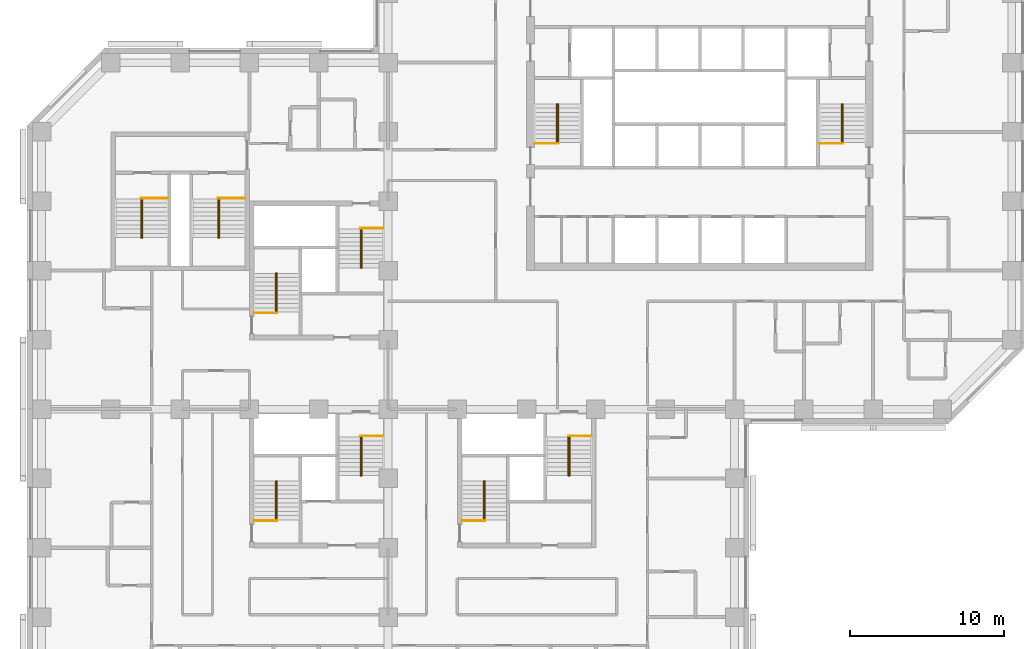
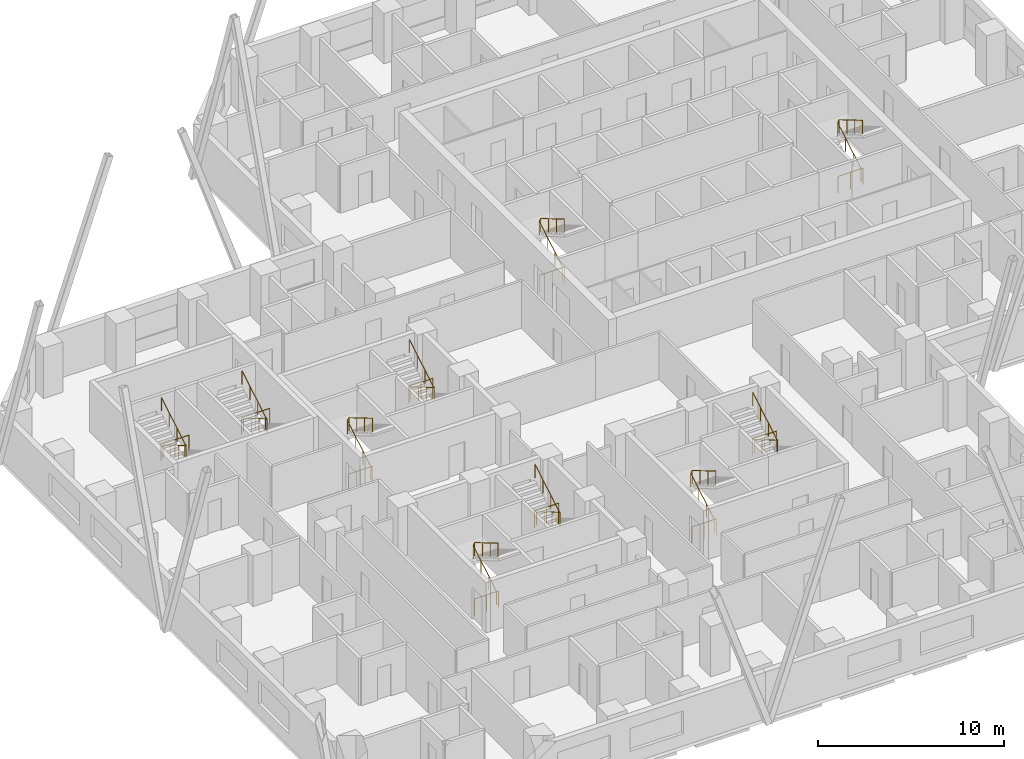
# One storey, part 13 of 13: 20 railings.
"""IFC4 building model written with IfcOpenShell, lengths in metres."""

from ifc_helpers import new_model, si_unit, direction, frame, origin, origin_2d, place, context, subcontext, project, spatial, circle, extrude, material, type_object, element, save


model = new_model("IFC4")

# Units and contexts
model_context = context("Model", 3, precision=1e-05, world=origin(), true_north=direction((0.0, 1.0)))
body_context = subcontext(model_context, "Body", "Model", "MODEL_VIEW")
ifc_project = project(units=[si_unit("LENGTHUNIT", "METRE"), si_unit("AREAUNIT", "SQUARE_METRE"), si_unit("VOLUMEUNIT", "CUBIC_METRE"), si_unit("PLANEANGLEUNIT", "RADIAN"), si_unit("MASSUNIT", "GRAM", prefix="KILO")], contexts=[model_context])

# Site, building, storey
site_placement = place(None, origin())
site = spatial("IfcSite", under=ifc_project, at=site_placement, CompositionType="ELEMENT")
building_placement = place(site_placement, origin())
building = spatial("IfcBuilding", under=site, at=building_placement, Name="Quoin Convention Tower", CompositionType="ELEMENT")
storey_placement = place(building_placement, frame((0.0, 0.0, 39.60009765625)))
storey = spatial("IfcBuildingStorey", under=building, at=storey_placement, Name="L09", CompositionType="ELEMENT", Elevation=39.60009765625)

# Railings
ifc_material = material(Name="Stainless steel", Category="steel")
railing_type_1 = type_object("IfcRailingType", Name="Stair handrail 900", PredefinedType="HANDRAIL", material=ifc_material)
for number, where, name in (
    (1, (46.955078125, 57.800048828125, 0.164794921875), "SD1 handrail 1"),
    (2, (65.455078125, 57.800048828125, 0.164794921875), "SD2 handrail 1"),
    (3, (28.705078125, 46.800048828125, 0.164794921875), "SD3 handrail 1"),
):
    element("IfcRailing", number, at=place(storey_placement, frame(where)), inside=storey, type_object=railing_type_1, Name=name, PredefinedType="HANDRAIL", context=body_context, shape_type="SweptSolid", body=[
        extrude(circle(Radius=0.02392578125, at=origin_2d()), frame((0.0, 0.0, 0.8759765625), z_axis=(0.0, 0.86152411907, 0.507716645641), x_axis=(-1.0, 0.0, 0.0)), (0.0, 0.0, 1.0), 2.925048828125),
        extrude(circle(Radius=0.02392578125, at=origin_2d()), frame((0.0, 2.52001953125, 2.36083984375), z_axis=(0.478123724308, 0.0, 0.878292493566), x_axis=(0.0, 1.0, 0.0)), (0.0, 0.0, 1.0), 0.18798828125),
        extrude(circle(Radius=0.02392578125, at=origin_2d()), frame((0.08984375, 2.52001953125, 2.52587890625), z_axis=(0.0, -0.861560626758, 0.507654692109), x_axis=(1.0, 0.0, 0.0)), (0.0, 0.0, 1.0), 2.925048828125),
        extrude(circle(Radius=0.02099609375, at=origin_2d()), origin(), (0.0, 0.0, 1.0), 0.851806640625),
        extrude(circle(Radius=0.02099609375, at=origin_2d()), frame((0.0, 0.840087890625, 0.4951171875)), (0.0, 0.0, 1.0), 0.851806640625),
        extrude(circle(Radius=0.02099609375, at=origin_2d()), frame((0.0, 1.679931640625, 0.989990234375)), (0.0, 0.0, 1.0), 0.851806640625),
        extrude(circle(Radius=0.02099609375, at=origin_2d()), frame((0.0, 2.52001953125, 1.485107421875)), (0.0, 0.0, 1.0), 0.851806640625),
        extrude(circle(Radius=0.02099609375, at=origin_2d()), frame((0.08984375, 2.52001953125, 1.650146484375)), (0.0, 0.0, 1.0), 0.851806640625),
        extrude(circle(Radius=0.02099609375, at=origin_2d()), frame((0.08984375, 1.679931640625, 2.14501953125)), (0.0, 0.0, 1.0), 0.851806640625),
        extrude(circle(Radius=0.02099609375, at=origin_2d()), frame((0.08984375, 0.840087890625, 2.64013671875)), (0.0, 0.0, 1.0), 0.851806640625),
        extrude(circle(Radius=0.02099609375, at=origin_2d()), frame((0.08984375, 0.0, 3.135009765625)), (0.0, 0.0, 1.0), 0.851806640625),
    ])
railing_1_placement = place(storey_placement, frame((34.294921875, 52.199951171875, 0.164794921875)))
element("IfcRailing", 4, at=railing_1_placement, inside=storey, type_object=railing_type_1, Name="SD4 handrail 1", PredefinedType="HANDRAIL", context=body_context, shape_type="SweptSolid", body=[
    extrude(circle(Radius=0.02392578125, at=origin_2d()), frame((0.0, 0.0, 0.8759765625), z_axis=(0.0, -0.86152411907, 0.507716645641), x_axis=(1.0, 0.0, 0.0)), (0.0, 0.0, 1.0), 2.925048828125),
    extrude(circle(Radius=0.02392578125, at=origin_2d()), frame((0.0, -2.52001953125, 2.36083984375), z_axis=(-0.478123724308, 0.0, 0.878292493566), x_axis=(0.0, -1.0, 0.0)), (0.0, 0.0, 1.0), 0.18798828125),
    extrude(circle(Radius=0.02392578125, at=origin_2d()), frame((-0.08984375, -2.52001953125, 2.52587890625), z_axis=(0.0, 0.861560626758, 0.507654692109), x_axis=(-1.0, 0.0, 0.0)), (0.0, 0.0, 1.0), 2.925048828125),
    extrude(circle(Radius=0.02099609375, at=origin_2d()), origin(), (0.0, 0.0, 1.0), 0.851806640625),
    extrude(circle(Radius=0.02099609375, at=origin_2d()), frame((0.0, -0.840087890625, 0.4951171875)), (0.0, 0.0, 1.0), 0.851806640625),
    extrude(circle(Radius=0.02099609375, at=origin_2d()), frame((0.0, -1.679931640625, 0.989990234375)), (0.0, 0.0, 1.0), 0.851806640625),
    extrude(circle(Radius=0.02099609375, at=origin_2d()), frame((0.0, -2.52001953125, 1.485107421875)), (0.0, 0.0, 1.0), 0.851806640625),
    extrude(circle(Radius=0.02099609375, at=origin_2d()), frame((-0.08984375, -2.52001953125, 1.650146484375)), (0.0, 0.0, 1.0), 0.851806640625),
    extrude(circle(Radius=0.02099609375, at=origin_2d()), frame((-0.08984375, -1.679931640625, 2.14501953125)), (0.0, 0.0, 1.0), 0.851806640625),
    extrude(circle(Radius=0.02099609375, at=origin_2d()), frame((-0.08984375, -0.840087890625, 2.64013671875)), (0.0, 0.0, 1.0), 0.851806640625),
    extrude(circle(Radius=0.02099609375, at=origin_2d()), frame((-0.08984375, 0.0, 3.135009765625)), (0.0, 0.0, 1.0), 0.851806640625),
])
railing_2_placement = place(storey_placement, frame((42.205078125, 33.300048828125, 0.164794921875)))
element("IfcRailing", 5, at=railing_2_placement, inside=storey, type_object=railing_type_1, Name="SD5 handrail 1", PredefinedType="HANDRAIL", context=body_context, shape_type="SweptSolid", body=[
    extrude(circle(Radius=0.02392578125, at=origin_2d()), frame((0.0, 0.0, 0.8759765625), z_axis=(0.0, 0.86152411907, 0.507716645641), x_axis=(-1.0, 0.0, 0.0)), (0.0, 0.0, 1.0), 2.925048828125),
    extrude(circle(Radius=0.02392578125, at=origin_2d()), frame((0.0, 2.52001953125, 2.36083984375), z_axis=(0.478123724308, 0.0, 0.878292493566), x_axis=(0.0, 1.0, 0.0)), (0.0, 0.0, 1.0), 0.18798828125),
    extrude(circle(Radius=0.02392578125, at=origin_2d()), frame((0.08984375, 2.52001953125, 2.52587890625), z_axis=(0.0, -0.861560626758, 0.507654692109), x_axis=(1.0, 0.0, 0.0)), (0.0, 0.0, 1.0), 2.925048828125),
    extrude(circle(Radius=0.02099609375, at=origin_2d()), origin(), (0.0, 0.0, 1.0), 0.851806640625),
    extrude(circle(Radius=0.02099609375, at=origin_2d()), frame((0.0, 0.840087890625, 0.4951171875)), (0.0, 0.0, 1.0), 0.851806640625),
    extrude(circle(Radius=0.02099609375, at=origin_2d()), frame((0.0, 1.679931640625, 0.989990234375)), (0.0, 0.0, 1.0), 0.851806640625),
    extrude(circle(Radius=0.02099609375, at=origin_2d()), frame((0.0, 2.52001953125, 1.485107421875)), (0.0, 0.0, 1.0), 0.851806640625),
    extrude(circle(Radius=0.02099609375, at=origin_2d()), frame((0.08984375, 2.52001953125, 1.650146484375)), (0.0, 0.0, 1.0), 0.851806640625),
    extrude(circle(Radius=0.02099609375, at=origin_2d()), frame((0.08984375, 1.679931640625, 2.14501953125)), (0.0, 0.0, 1.0), 0.851806640625),
    extrude(circle(Radius=0.02099609375, at=origin_2d()), frame((0.08984375, 0.840087890625, 2.64013671875)), (0.0, 0.0, 1.0), 0.851806640625),
    extrude(circle(Radius=0.02099609375, at=origin_2d()), frame((0.08984375, 0.0, 3.135009765625)), (0.0, 0.0, 1.0), 0.851806640625),
])
railing_3_placement = place(storey_placement, frame((47.794921875, 38.699951171875, 0.164794921875)))
element("IfcRailing", 6, at=railing_3_placement, inside=storey, type_object=railing_type_1, Name="SD6 handrail 1", PredefinedType="HANDRAIL", context=body_context, shape_type="SweptSolid", body=[
    extrude(circle(Radius=0.02392578125, at=origin_2d()), frame((0.0, 0.0, 0.8759765625), z_axis=(0.0, -0.86152411907, 0.507716645641), x_axis=(1.0, 0.0, 0.0)), (0.0, 0.0, 1.0), 2.925048828125),
    extrude(circle(Radius=0.02392578125, at=origin_2d()), frame((0.0, -2.52001953125, 2.36083984375), z_axis=(-0.478123724308, 0.0, 0.878292493566), x_axis=(0.0, -1.0, 0.0)), (0.0, 0.0, 1.0), 0.18798828125),
    extrude(circle(Radius=0.02392578125, at=origin_2d()), frame((-0.08984375, -2.52001953125, 2.52587890625), z_axis=(0.0, 0.861560626758, 0.507654692109), x_axis=(-1.0, 0.0, 0.0)), (0.0, 0.0, 1.0), 2.925048828125),
    extrude(circle(Radius=0.02099609375, at=origin_2d()), origin(), (0.0, 0.0, 1.0), 0.851806640625),
    extrude(circle(Radius=0.02099609375, at=origin_2d()), frame((0.0, -0.840087890625, 0.4951171875)), (0.0, 0.0, 1.0), 0.851806640625),
    extrude(circle(Radius=0.02099609375, at=origin_2d()), frame((0.0, -1.679931640625, 0.989990234375)), (0.0, 0.0, 1.0), 0.851806640625),
    extrude(circle(Radius=0.02099609375, at=origin_2d()), frame((0.0, -2.52001953125, 1.485107421875)), (0.0, 0.0, 1.0), 0.851806640625),
    extrude(circle(Radius=0.02099609375, at=origin_2d()), frame((-0.08984375, -2.52001953125, 1.650146484375)), (0.0, 0.0, 1.0), 0.851806640625),
    extrude(circle(Radius=0.02099609375, at=origin_2d()), frame((-0.08984375, -1.679931640625, 2.14501953125)), (0.0, 0.0, 1.0), 0.851806640625),
    extrude(circle(Radius=0.02099609375, at=origin_2d()), frame((-0.08984375, -0.840087890625, 2.64013671875)), (0.0, 0.0, 1.0), 0.851806640625),
    extrude(circle(Radius=0.02099609375, at=origin_2d()), frame((-0.08984375, 0.0, 3.135009765625)), (0.0, 0.0, 1.0), 0.851806640625),
])
railing_4_placement = place(storey_placement, frame((28.705078125, 33.300048828125, 0.164794921875)))
element("IfcRailing", 7, at=railing_4_placement, inside=storey, type_object=railing_type_1, Name="SD7 handrail 1", PredefinedType="HANDRAIL", context=body_context, shape_type="SweptSolid", body=[
    extrude(circle(Radius=0.02392578125, at=origin_2d()), frame((0.0, 0.0, 0.8759765625), z_axis=(0.0, 0.86152411907, 0.507716645641), x_axis=(-1.0, 0.0, 0.0)), (0.0, 0.0, 1.0), 2.925048828125),
    extrude(circle(Radius=0.02392578125, at=origin_2d()), frame((0.0, 2.52001953125, 2.36083984375), z_axis=(0.478123724308, 0.0, 0.878292493566), x_axis=(0.0, 1.0, 0.0)), (0.0, 0.0, 1.0), 0.18798828125),
    extrude(circle(Radius=0.02392578125, at=origin_2d()), frame((0.08984375, 2.52001953125, 2.52587890625), z_axis=(0.0, -0.861560626758, 0.507654692109), x_axis=(1.0, 0.0, 0.0)), (0.0, 0.0, 1.0), 2.925048828125),
    extrude(circle(Radius=0.02099609375, at=origin_2d()), origin(), (0.0, 0.0, 1.0), 0.851806640625),
    extrude(circle(Radius=0.02099609375, at=origin_2d()), frame((0.0, 0.840087890625, 0.4951171875)), (0.0, 0.0, 1.0), 0.851806640625),
    extrude(circle(Radius=0.02099609375, at=origin_2d()), frame((0.0, 1.679931640625, 0.989990234375)), (0.0, 0.0, 1.0), 0.851806640625),
    extrude(circle(Radius=0.02099609375, at=origin_2d()), frame((0.0, 2.52001953125, 1.485107421875)), (0.0, 0.0, 1.0), 0.851806640625),
    extrude(circle(Radius=0.02099609375, at=origin_2d()), frame((0.08984375, 2.52001953125, 1.650146484375)), (0.0, 0.0, 1.0), 0.851806640625),
    extrude(circle(Radius=0.02099609375, at=origin_2d()), frame((0.08984375, 1.679931640625, 2.14501953125)), (0.0, 0.0, 1.0), 0.851806640625),
    extrude(circle(Radius=0.02099609375, at=origin_2d()), frame((0.08984375, 0.840087890625, 2.64013671875)), (0.0, 0.0, 1.0), 0.851806640625),
    extrude(circle(Radius=0.02099609375, at=origin_2d()), frame((0.08984375, 0.0, 3.135009765625)), (0.0, 0.0, 1.0), 0.851806640625),
])
for number, where, name in (
    (8, (34.294921875, 38.699951171875, 0.164794921875), "SD8 handrail 1"),
    (9, (20.044921875, 54.14990234375, 0.164794921875), "SD11 handrail 1"),
    (10, (25.044921875, 54.14990234375, 0.164794921875), "SD12 handrail 1"),
):
    element("IfcRailing", number, at=place(storey_placement, frame(where)), inside=storey, type_object=railing_type_1, Name=name, PredefinedType="HANDRAIL", context=body_context, shape_type="SweptSolid", body=[
        extrude(circle(Radius=0.02392578125, at=origin_2d()), frame((0.0, 0.0, 0.8759765625), z_axis=(0.0, -0.86152411907, 0.507716645641), x_axis=(1.0, 0.0, 0.0)), (0.0, 0.0, 1.0), 2.925048828125),
        extrude(circle(Radius=0.02392578125, at=origin_2d()), frame((0.0, -2.52001953125, 2.36083984375), z_axis=(-0.478123724308, 0.0, 0.878292493566), x_axis=(0.0, -1.0, 0.0)), (0.0, 0.0, 1.0), 0.18798828125),
        extrude(circle(Radius=0.02392578125, at=origin_2d()), frame((-0.08984375, -2.52001953125, 2.52587890625), z_axis=(0.0, 0.861560626758, 0.507654692109), x_axis=(-1.0, 0.0, 0.0)), (0.0, 0.0, 1.0), 2.925048828125),
        extrude(circle(Radius=0.02099609375, at=origin_2d()), origin(), (0.0, 0.0, 1.0), 0.851806640625),
        extrude(circle(Radius=0.02099609375, at=origin_2d()), frame((0.0, -0.840087890625, 0.4951171875)), (0.0, 0.0, 1.0), 0.851806640625),
        extrude(circle(Radius=0.02099609375, at=origin_2d()), frame((0.0, -1.679931640625, 0.989990234375)), (0.0, 0.0, 1.0), 0.851806640625),
        extrude(circle(Radius=0.02099609375, at=origin_2d()), frame((0.0, -2.52001953125, 1.485107421875)), (0.0, 0.0, 1.0), 0.851806640625),
        extrude(circle(Radius=0.02099609375, at=origin_2d()), frame((-0.08984375, -2.52001953125, 1.650146484375)), (0.0, 0.0, 1.0), 0.851806640625),
        extrude(circle(Radius=0.02099609375, at=origin_2d()), frame((-0.08984375, -1.679931640625, 2.14501953125)), (0.0, 0.0, 1.0), 0.851806640625),
        extrude(circle(Radius=0.02099609375, at=origin_2d()), frame((-0.08984375, -0.840087890625, 2.64013671875)), (0.0, 0.0, 1.0), 0.851806640625),
        extrude(circle(Radius=0.02099609375, at=origin_2d()), frame((-0.08984375, 0.0, 3.135009765625)), (0.0, 0.0, 1.0), 0.851806640625),
    ])
railing_type_2 = type_object("IfcRailingType", Name="Stair top guard 1100", PredefinedType="GUARDRAIL", material=ifc_material)
for number, where, name in (
    (11, (45.5, 57.75, 0.0), "SD1 top guard"),
    (12, (64.0, 57.75, 0.0), "SD2 top guard"),
):
    element("IfcRailing", number, at=place(storey_placement, frame(where)), inside=storey, type_object=railing_type_2, Name=name, PredefinedType="GUARDRAIL", context=body_context, shape_type="SweptSolid", body=[
        extrude(circle(Radius=0.02392578125, at=origin_2d()), frame((0.0, 0.0, 1.076171875), z_axis=(1.0, 0.0, 0.0), x_axis=(0.0, 1.0, 0.0)), (0.0, 0.0, 1.0), 1.544921875),
        extrude(circle(Radius=0.02099609375, at=origin_2d()), origin(), (0.0, 0.0, 1.0), 1.052001953125),
        extrude(circle(Radius=0.02099609375, at=origin_2d()), frame((0.7724609375, 0.0, 0.0)), (0.0, 0.0, 1.0), 1.052001953125),
        extrude(circle(Radius=0.02099609375, at=origin_2d()), frame((1.544921875, 0.0, 0.0)), (0.0, 0.0, 1.0), 1.052001953125),
    ])
railing_5_placement = place(storey_placement, frame((27.300048828125, 46.75, 0.0)))
element("IfcRailing", 13, at=railing_5_placement, inside=storey, type_object=railing_type_2, Name="SD3 top guard", PredefinedType="GUARDRAIL", context=body_context, shape_type="SweptSolid", body=[
    extrude(circle(Radius=0.02392578125, at=origin_2d()), frame((0.0, 0.0, 1.076171875), z_axis=(1.0, 0.0, 0.0), x_axis=(0.0, 1.0, 0.0)), (0.0, 0.0, 1.0), 1.494873046875),
    extrude(circle(Radius=0.02099609375, at=origin_2d()), origin(), (0.0, 0.0, 1.0), 1.052001953125),
    extrude(circle(Radius=0.02099609375, at=origin_2d()), frame((0.74755859375, 0.0, 0.0)), (0.0, 0.0, 1.0), 1.052001953125),
    extrude(circle(Radius=0.02099609375, at=origin_2d()), frame((1.494873046875, 0.0, 0.0)), (0.0, 0.0, 1.0), 1.052001953125),
])
railing_6_placement = place(storey_placement, frame((35.699951171875, 52.25, 0.0)))
element("IfcRailing", 14, at=railing_6_placement, inside=storey, type_object=railing_type_2, Name="SD4 top guard", PredefinedType="GUARDRAIL", context=body_context, shape_type="SweptSolid", body=[
    extrude(circle(Radius=0.02392578125, at=origin_2d()), frame((0.0, 0.0, 1.076171875), z_axis=(-1.0, 0.0, 0.0), x_axis=(0.0, -1.0, 0.0)), (0.0, 0.0, 1.0), 1.494873046875),
    extrude(circle(Radius=0.02099609375, at=origin_2d()), origin(), (0.0, 0.0, 1.0), 1.052001953125),
    extrude(circle(Radius=0.02099609375, at=origin_2d()), frame((-0.74755859375, 0.0, 0.0)), (0.0, 0.0, 1.0), 1.052001953125),
    extrude(circle(Radius=0.02099609375, at=origin_2d()), frame((-1.494873046875, 0.0, 0.0)), (0.0, 0.0, 1.0), 1.052001953125),
])
railing_7_placement = place(storey_placement, frame((40.800048828125, 33.25, 0.0)))
element("IfcRailing", 15, at=railing_7_placement, inside=storey, type_object=railing_type_2, Name="SD5 top guard", PredefinedType="GUARDRAIL", context=body_context, shape_type="SweptSolid", body=[
    extrude(circle(Radius=0.02392578125, at=origin_2d()), frame((0.0, 0.0, 1.076171875), z_axis=(1.0, 0.0, 0.0), x_axis=(0.0, 1.0, 0.0)), (0.0, 0.0, 1.0), 1.494873046875),
    extrude(circle(Radius=0.02099609375, at=origin_2d()), origin(), (0.0, 0.0, 1.0), 1.052001953125),
    extrude(circle(Radius=0.02099609375, at=origin_2d()), frame((0.74755859375, 0.0, 0.0)), (0.0, 0.0, 1.0), 1.052001953125),
    extrude(circle(Radius=0.02099609375, at=origin_2d()), frame((1.494873046875, 0.0, 0.0)), (0.0, 0.0, 1.0), 1.052001953125),
])
railing_8_placement = place(storey_placement, frame((49.199951171875, 38.75, 0.0)))
element("IfcRailing", 16, at=railing_8_placement, inside=storey, type_object=railing_type_2, Name="SD6 top guard", PredefinedType="GUARDRAIL", context=body_context, shape_type="SweptSolid", body=[
    extrude(circle(Radius=0.02392578125, at=origin_2d()), frame((0.0, 0.0, 1.076171875), z_axis=(-1.0, 0.0, 0.0), x_axis=(0.0, -1.0, 0.0)), (0.0, 0.0, 1.0), 1.494873046875),
    extrude(circle(Radius=0.02099609375, at=origin_2d()), origin(), (0.0, 0.0, 1.0), 1.052001953125),
    extrude(circle(Radius=0.02099609375, at=origin_2d()), frame((-0.74755859375, 0.0, 0.0)), (0.0, 0.0, 1.0), 1.052001953125),
    extrude(circle(Radius=0.02099609375, at=origin_2d()), frame((-1.494873046875, 0.0, 0.0)), (0.0, 0.0, 1.0), 1.052001953125),
])
railing_9_placement = place(storey_placement, frame((27.300048828125, 33.25, 0.0)))
element("IfcRailing", 17, at=railing_9_placement, inside=storey, type_object=railing_type_2, Name="SD7 top guard", PredefinedType="GUARDRAIL", context=body_context, shape_type="SweptSolid", body=[
    extrude(circle(Radius=0.02392578125, at=origin_2d()), frame((0.0, 0.0, 1.076171875), z_axis=(1.0, 0.0, 0.0), x_axis=(0.0, 1.0, 0.0)), (0.0, 0.0, 1.0), 1.494873046875),
    extrude(circle(Radius=0.02099609375, at=origin_2d()), origin(), (0.0, 0.0, 1.0), 1.052001953125),
    extrude(circle(Radius=0.02099609375, at=origin_2d()), frame((0.74755859375, 0.0, 0.0)), (0.0, 0.0, 1.0), 1.052001953125),
    extrude(circle(Radius=0.02099609375, at=origin_2d()), frame((1.494873046875, 0.0, 0.0)), (0.0, 0.0, 1.0), 1.052001953125),
])
railing_10_placement = place(storey_placement, frame((35.699951171875, 38.75, 0.0)))
element("IfcRailing", 18, at=railing_10_placement, inside=storey, type_object=railing_type_2, Name="SD8 top guard", PredefinedType="GUARDRAIL", context=body_context, shape_type="SweptSolid", body=[
    extrude(circle(Radius=0.02392578125, at=origin_2d()), frame((0.0, 0.0, 1.076171875), z_axis=(-1.0, 0.0, 0.0), x_axis=(0.0, -1.0, 0.0)), (0.0, 0.0, 1.0), 1.494873046875),
    extrude(circle(Radius=0.02099609375, at=origin_2d()), origin(), (0.0, 0.0, 1.0), 1.052001953125),
    extrude(circle(Radius=0.02099609375, at=origin_2d()), frame((-0.74755859375, 0.0, 0.0)), (0.0, 0.0, 1.0), 1.052001953125),
    extrude(circle(Radius=0.02099609375, at=origin_2d()), frame((-1.494873046875, 0.0, 0.0)), (0.0, 0.0, 1.0), 1.052001953125),
])
for number, where, name in (
    (19, (21.699951171875, 54.199951171875, 0.0), "SD11 top guard"),
    (20, (26.699951171875, 54.199951171875, 0.0), "SD12 top guard"),
):
    element("IfcRailing", number, at=place(storey_placement, frame(where)), inside=storey, type_object=railing_type_2, Name=name, PredefinedType="GUARDRAIL", context=body_context, shape_type="SweptSolid", body=[
        extrude(circle(Radius=0.02392578125, at=origin_2d()), frame((0.0, 0.0, 1.076171875), z_axis=(-1.0, 0.0, 0.0), x_axis=(0.0, -1.0, 0.0)), (0.0, 0.0, 1.0), 1.744873046875),
        extrude(circle(Radius=0.02099609375, at=origin_2d()), origin(), (0.0, 0.0, 1.0), 1.052001953125),
        extrude(circle(Radius=0.02099609375, at=origin_2d()), frame((-0.87255859375, 0.0, 0.0)), (0.0, 0.0, 1.0), 1.052001953125),
        extrude(circle(Radius=0.02099609375, at=origin_2d()), frame((-1.744873046875, 0.0, 0.0)), (0.0, 0.0, 1.0), 1.052001953125),
    ])

save(model, "model.ifc")
